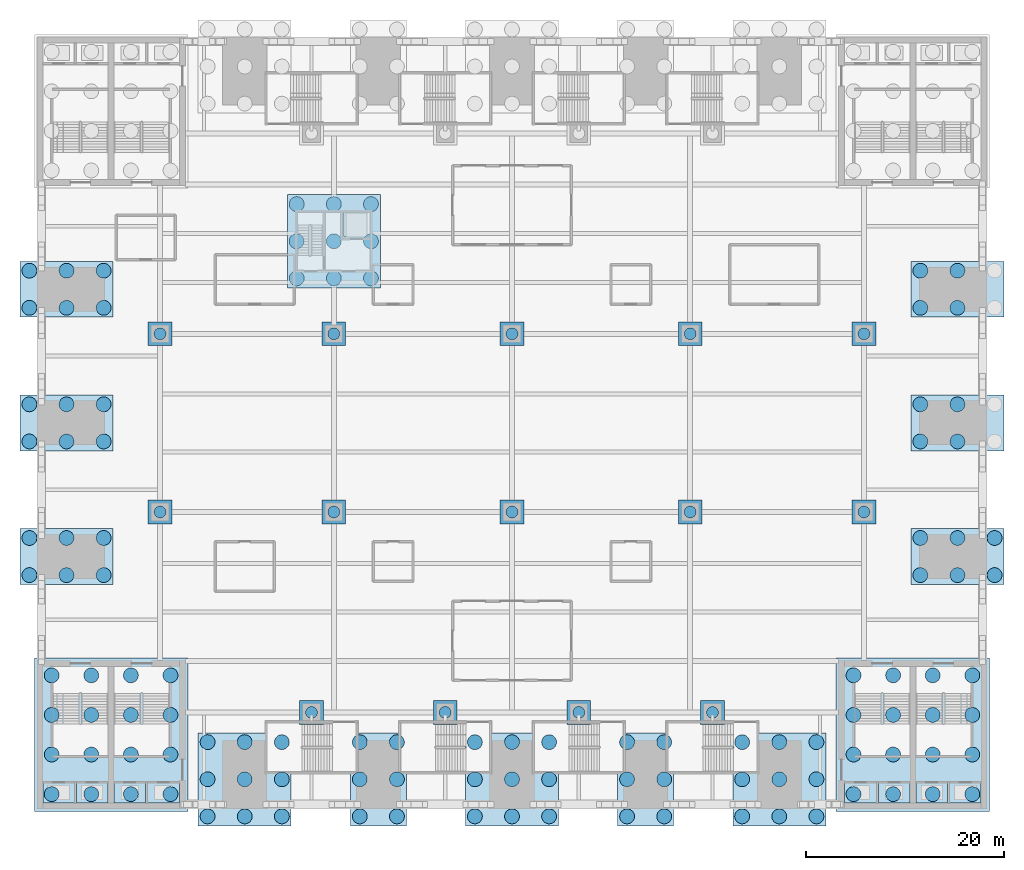
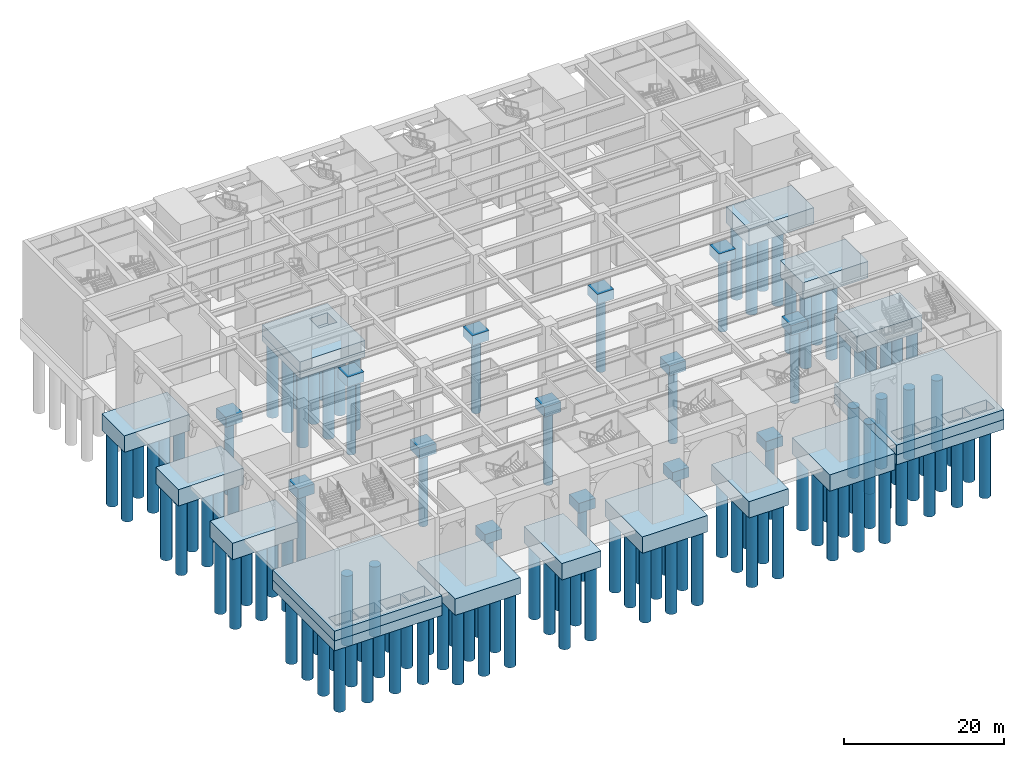
# One storey, part 1 of 34: 126 piles, 31 footings.
"""IFC4 building model written with IfcOpenShell, lengths in metres."""

from ifc_helpers import new_model, si_unit, direction, frame, origin, origin_2d, place, context, subcontext, project, spatial, polyline, circle, outline, extrude, material, layer, layer_set, material_profile, profile_set, type_object, element, save


model = new_model("IFC4")

# Units and contexts
model_context = context("Model", 3, precision=1e-05, world=origin(), true_north=direction((0.0, 1.0)))
body_context = subcontext(model_context, "Body", "Model", "MODEL_VIEW")
ifc_project = project(units=[si_unit("LENGTHUNIT", "METRE"), si_unit("AREAUNIT", "SQUARE_METRE"), si_unit("VOLUMEUNIT", "CUBIC_METRE"), si_unit("PLANEANGLEUNIT", "RADIAN"), si_unit("MASSUNIT", "GRAM", prefix="KILO")], contexts=[model_context])

# Site, building, storey
site_placement = place(None, origin())
site = spatial("IfcSite", under=ifc_project, at=site_placement, CompositionType="ELEMENT")
building_placement = place(site_placement, origin())
building = spatial("IfcBuilding", under=site, at=building_placement, Name="Corbelhall Arena Tower", CompositionType="ELEMENT")
storey_placement = place(building_placement, origin())
storey = spatial("IfcBuildingStorey", under=building, at=storey_placement, Name="L00", CompositionType="ELEMENT", Elevation=0.0)

# Piles
ifc_material = material(Name="Concrete C40/50", Category="concrete")
ifc_material_profile_1 = material_profile(ifc_material, circle(Radius=0.60009765625, at=origin_2d()))
ifc_profile_set_1 = profile_set([ifc_material_profile_1], Name="Concrete C40/50")
pile_type_1 = type_object("IfcPileType", Name="PO-BORED-PILE-1200", PredefinedType="BORED", material=ifc_profile_set_1)
for number, where, z_axis, x_axis, name in (
    (1, (-35.550048828125, -9.0, -1.35009765625), (0.0, 0.0, -1.0), (1.0, 0.0, 0.0), "CAP-S-35.55-9.00 PILE 1"),
    (2, (-35.550048828125, 9.0, -1.35009765625), (0.0, 0.0, -1.0), (1.0, 0.0, 0.0), "CAP-S-35.55+9.00 PILE 1"),
    (3, (-18.0, -9.0, -1.35009765625), (0.0, 0.0, -1.0), (1.0, 0.0, 0.0), "CAP-S-18.00-9.00 PILE 1"),
    (4, (-18.0, 9.0, -1.35009765625), (0.0, 0.0, -1.0), (1.0, 0.0, 0.0), "CAP-S-18.00+9.00 PILE 1"),
    (5, (0.0, -9.0, -1.35009765625), (0.0, 0.0, -1.0), (1.0, 0.0, 0.0), "CAP-S+0.00-9.00 PILE 1"),
    (6, (0.0, 9.0, -1.35009765625), (0.0, 0.0, -1.0), (1.0, 0.0, 0.0), "CAP-S+0.00+9.00 PILE 1"),
    (7, (18.0, -9.0, -1.35009765625), (0.0, 0.0, -1.0), (1.0, 0.0, 0.0), "CAP-S+18.00-9.00 PILE 1"),
    (8, (18.0, 9.0, -1.35009765625), (0.0, 0.0, -1.0), (1.0, 0.0, 0.0), "CAP-S+18.00+9.00 PILE 1"),
    (9, (35.550048828125, -9.0, -1.35009765625), (0.0, 0.0, -1.0), (1.0, 0.0, 0.0), "CAP-S+35.55-9.00 PILE 1"),
    (10, (35.550048828125, 9.0, -1.35009765625), (0.0, 0.0, -1.0), (1.0, 0.0, 0.0), "CAP-S+35.55+9.00 PILE 1"),
    (11, (-20.25, -29.25, -1.35009765625), (0.0, 0.0, -1.0), (1.0, 0.0, 0.0), "CAP-S-20.25-29.25 PILE 1"),
    (12, (-6.75, -29.25, -1.35009765625), (0.0, 0.0, -1.0), (1.0, 0.0, 0.0), "CAP-S-6.75-29.25 PILE 1"),
    (13, (6.75, -29.25, -1.35009765625), (0.0, 0.0, -1.0), (1.0, 0.0, 0.0), "CAP-S+6.75-29.25 PILE 1"),
    (14, (20.25, -29.25, -1.35009765625), (0.0, 0.0, -1.0), (1.0, 0.0, 0.0), "CAP-S+20.25-29.25 PILE 1"),
):
    element("IfcPile", number, at=place(storey_placement, frame(where, z_axis=z_axis, x_axis=x_axis)), inside=storey, type_object=pile_type_1, Name=name, PredefinedType="BORED", context=body_context, shape_type="SweptSolid", body=[
        extrude(circle(Radius=0.60009765625, at=origin_2d()), origin(), (0.0, 0.0, 1.0), 11.25),
    ])
ifc_material_profile_2 = material_profile(ifc_material, circle(Radius=0.75, at=origin_2d()))
ifc_profile_set_2 = profile_set([ifc_material_profile_2], Name="Concrete C40/50")
pile_type_2 = type_object("IfcPileType", Name="PO-BORED-PILE-1500", PredefinedType="BORED", material=ifc_profile_set_2)
for number, where, z_axis, x_axis, name in (
    (15, (34.5, -37.5, -2.85009765625), (0.0, 0.0, -1.0), (1.0, 0.0, 0.0), "RAFT-SE PILE 1"),
    (16, (34.5, -33.5, -2.85009765625), (0.0, 0.0, -1.0), (1.0, 0.0, 0.0), "RAFT-SE PILE 2"),
    (17, (34.5, -29.5, -2.85009765625), (0.0, 0.0, -1.0), (1.0, 0.0, 0.0), "RAFT-SE PILE 3"),
    (18, (34.5, -25.5, -2.85009765625), (0.0, 0.0, -1.0), (1.0, 0.0, 0.0), "RAFT-SE PILE 4"),
    (19, (38.5, -37.5, -2.85009765625), (0.0, 0.0, -1.0), (1.0, 0.0, 0.0), "RAFT-SE PILE 5"),
    (20, (38.5, -33.5, -2.85009765625), (0.0, 0.0, -1.0), (1.0, 0.0, 0.0), "RAFT-SE PILE 6"),
    (21, (38.5, -29.5, -2.85009765625), (0.0, 0.0, -1.0), (1.0, 0.0, 0.0), "RAFT-SE PILE 7"),
    (22, (38.5, -25.5, -2.85009765625), (0.0, 0.0, -1.0), (1.0, 0.0, 0.0), "RAFT-SE PILE 8"),
    (23, (42.5, -37.5, -2.85009765625), (0.0, 0.0, -1.0), (1.0, 0.0, 0.0), "RAFT-SE PILE 9"),
    (24, (42.5, -33.5, -2.85009765625), (0.0, 0.0, -1.0), (1.0, 0.0, 0.0), "RAFT-SE PILE 10"),
    (25, (42.5, -29.5, -2.85009765625), (0.0, 0.0, -1.0), (1.0, 0.0, 0.0), "RAFT-SE PILE 11"),
    (26, (42.5, -25.5, -2.85009765625), (0.0, 0.0, -1.0), (1.0, 0.0, 0.0), "RAFT-SE PILE 12"),
    (27, (46.5, -37.5, -2.85009765625), (0.0, 0.0, -1.0), (1.0, 0.0, 0.0), "RAFT-SE PILE 13"),
    (28, (46.5, -33.5, -2.85009765625), (0.0, 0.0, -1.0), (1.0, 0.0, 0.0), "RAFT-SE PILE 14"),
    (29, (46.5, -29.5, -2.85009765625), (0.0, 0.0, -1.0), (1.0, 0.0, 0.0), "RAFT-SE PILE 15"),
    (30, (46.5, -25.5, -2.85009765625), (0.0, 0.0, -1.0), (1.0, 0.0, 0.0), "RAFT-SE PILE 16"),
    (31, (-46.5, -37.5, -2.85009765625), (0.0, 0.0, -1.0), (1.0, 0.0, 0.0), "RAFT-SW PILE 1"),
    (32, (-46.5, -33.5, -2.85009765625), (0.0, 0.0, -1.0), (1.0, 0.0, 0.0), "RAFT-SW PILE 2"),
    (33, (-46.5, -29.5, -2.85009765625), (0.0, 0.0, -1.0), (1.0, 0.0, 0.0), "RAFT-SW PILE 3"),
    (34, (-46.5, -25.5, -2.85009765625), (0.0, 0.0, -1.0), (1.0, 0.0, 0.0), "RAFT-SW PILE 4"),
    (35, (-42.5, -37.5, -2.85009765625), (0.0, 0.0, -1.0), (1.0, 0.0, 0.0), "RAFT-SW PILE 5"),
    (36, (-42.5, -33.5, -2.85009765625), (0.0, 0.0, -1.0), (1.0, 0.0, 0.0), "RAFT-SW PILE 6"),
    (37, (-42.5, -29.5, -2.85009765625), (0.0, 0.0, -1.0), (1.0, 0.0, 0.0), "RAFT-SW PILE 7"),
    (38, (-42.5, -25.5, -2.85009765625), (0.0, 0.0, -1.0), (1.0, 0.0, 0.0), "RAFT-SW PILE 8"),
    (39, (-38.5, -37.5, -2.85009765625), (0.0, 0.0, -1.0), (1.0, 0.0, 0.0), "RAFT-SW PILE 9"),
    (40, (-38.5, -33.5, -2.85009765625), (0.0, 0.0, -1.0), (1.0, 0.0, 0.0), "RAFT-SW PILE 10"),
    (41, (-38.5, -29.5, -2.85009765625), (0.0, 0.0, -1.0), (1.0, 0.0, 0.0), "RAFT-SW PILE 11"),
    (42, (-38.5, -25.5, -2.85009765625), (0.0, 0.0, -1.0), (1.0, 0.0, 0.0), "RAFT-SW PILE 12"),
    (43, (-34.5, -37.5, -2.85009765625), (0.0, 0.0, -1.0), (1.0, 0.0, 0.0), "RAFT-SW PILE 13"),
    (44, (-34.5, -33.5, -2.85009765625), (0.0, 0.0, -1.0), (1.0, 0.0, 0.0), "RAFT-SW PILE 14"),
    (45, (-34.5, -29.5, -2.85009765625), (0.0, 0.0, -1.0), (1.0, 0.0, 0.0), "RAFT-SW PILE 15"),
    (46, (-34.5, -25.5, -2.85009765625), (0.0, 0.0, -1.0), (1.0, 0.0, 0.0), "RAFT-SW PILE 16"),
):
    element("IfcPile", number, at=place(storey_placement, frame(where, z_axis=z_axis, x_axis=x_axis)), inside=storey, type_object=pile_type_2, Name=name, PredefinedType="BORED", context=body_context, shape_type="SweptSolid", body=[
        extrude(circle(Radius=0.75, at=origin_2d()), origin(), (0.0, 0.0, 1.0), 10.64990234375),
    ])
for number, where, z_axis, x_axis, name in (
    (47, (-30.75, -39.75, -2.35009765625), (0.0, 0.0, -1.0), (1.0, 0.0, 0.0), "CAP-S-27.0 PILE 1"),
    (48, (-30.75, -36.0, -2.35009765625), (0.0, 0.0, -1.0), (1.0, 0.0, 0.0), "CAP-S-27.0 PILE 2"),
    (49, (-30.75, -32.25, -2.35009765625), (0.0, 0.0, -1.0), (1.0, 0.0, 0.0), "CAP-S-27.0 PILE 3"),
    (50, (-27.0, -39.75, -2.35009765625), (0.0, 0.0, -1.0), (1.0, 0.0, 0.0), "CAP-S-27.0 PILE 4"),
    (51, (-27.0, -36.0, -2.35009765625), (0.0, 0.0, -1.0), (1.0, 0.0, 0.0), "CAP-S-27.0 PILE 5"),
    (52, (-27.0, -32.25, -2.35009765625), (0.0, 0.0, -1.0), (1.0, 0.0, 0.0), "CAP-S-27.0 PILE 6"),
    (53, (-23.25, -39.75, -2.35009765625), (0.0, 0.0, -1.0), (1.0, 0.0, 0.0), "CAP-S-27.0 PILE 7"),
    (54, (-23.25, -36.0, -2.35009765625), (0.0, 0.0, -1.0), (1.0, 0.0, 0.0), "CAP-S-27.0 PILE 8"),
    (55, (-23.25, -32.25, -2.35009765625), (0.0, 0.0, -1.0), (1.0, 0.0, 0.0), "CAP-S-27.0 PILE 9"),
    (56, (-15.375, -39.75, -2.35009765625), (0.0, 0.0, -1.0), (1.0, 0.0, 0.0), "CAP-S-13.5 PILE 1"),
    (57, (-15.375, -36.0, -2.35009765625), (0.0, 0.0, -1.0), (1.0, 0.0, 0.0), "CAP-S-13.5 PILE 2"),
    (58, (-15.375, -32.25, -2.35009765625), (0.0, 0.0, -1.0), (1.0, 0.0, 0.0), "CAP-S-13.5 PILE 3"),
    (59, (-11.625, -39.75, -2.35009765625), (0.0, 0.0, -1.0), (1.0, 0.0, 0.0), "CAP-S-13.5 PILE 4"),
    (60, (-11.625, -36.0, -2.35009765625), (0.0, 0.0, -1.0), (1.0, 0.0, 0.0), "CAP-S-13.5 PILE 5"),
    (61, (-11.625, -32.25, -2.35009765625), (0.0, 0.0, -1.0), (1.0, 0.0, 0.0), "CAP-S-13.5 PILE 6"),
    (62, (-3.75, -39.75, -2.35009765625), (0.0, 0.0, -1.0), (1.0, 0.0, 0.0), "CAP-S+0.0 PILE 1"),
    (63, (-3.75, -36.0, -2.35009765625), (0.0, 0.0, -1.0), (1.0, 0.0, 0.0), "CAP-S+0.0 PILE 2"),
    (64, (-3.75, -32.25, -2.35009765625), (0.0, 0.0, -1.0), (1.0, 0.0, 0.0), "CAP-S+0.0 PILE 3"),
    (65, (0.0, -39.75, -2.35009765625), (0.0, 0.0, -1.0), (1.0, 0.0, 0.0), "CAP-S+0.0 PILE 4"),
    (66, (0.0, -36.0, -2.35009765625), (0.0, 0.0, -1.0), (1.0, 0.0, 0.0), "CAP-S+0.0 PILE 5"),
    (67, (0.0, -32.25, -2.35009765625), (0.0, 0.0, -1.0), (1.0, 0.0, 0.0), "CAP-S+0.0 PILE 6"),
    (68, (3.75, -39.75, -2.35009765625), (0.0, 0.0, -1.0), (1.0, 0.0, 0.0), "CAP-S+0.0 PILE 7"),
    (69, (3.75, -36.0, -2.35009765625), (0.0, 0.0, -1.0), (1.0, 0.0, 0.0), "CAP-S+0.0 PILE 8"),
    (70, (3.75, -32.25, -2.35009765625), (0.0, 0.0, -1.0), (1.0, 0.0, 0.0), "CAP-S+0.0 PILE 9"),
    (71, (11.625, -39.75, -2.35009765625), (0.0, 0.0, -1.0), (1.0, 0.0, 0.0), "CAP-S+13.5 PILE 1"),
    (72, (11.625, -36.0, -2.35009765625), (0.0, 0.0, -1.0), (1.0, 0.0, 0.0), "CAP-S+13.5 PILE 2"),
    (73, (11.625, -32.25, -2.35009765625), (0.0, 0.0, -1.0), (1.0, 0.0, 0.0), "CAP-S+13.5 PILE 3"),
    (74, (15.375, -39.75, -2.35009765625), (0.0, 0.0, -1.0), (1.0, 0.0, 0.0), "CAP-S+13.5 PILE 4"),
    (75, (15.375, -36.0, -2.35009765625), (0.0, 0.0, -1.0), (1.0, 0.0, 0.0), "CAP-S+13.5 PILE 5"),
    (76, (15.375, -32.25, -2.35009765625), (0.0, 0.0, -1.0), (1.0, 0.0, 0.0), "CAP-S+13.5 PILE 6"),
    (77, (23.25, -39.75, -2.35009765625), (0.0, 0.0, -1.0), (1.0, 0.0, 0.0), "CAP-S+27.0 PILE 1"),
    (78, (23.25, -36.0, -2.35009765625), (0.0, 0.0, -1.0), (1.0, 0.0, 0.0), "CAP-S+27.0 PILE 2"),
    (79, (23.25, -32.25, -2.35009765625), (0.0, 0.0, -1.0), (1.0, 0.0, 0.0), "CAP-S+27.0 PILE 3"),
    (80, (27.0, -39.75, -2.35009765625), (0.0, 0.0, -1.0), (1.0, 0.0, 0.0), "CAP-S+27.0 PILE 4"),
    (81, (27.0, -36.0, -2.35009765625), (0.0, 0.0, -1.0), (1.0, 0.0, 0.0), "CAP-S+27.0 PILE 5"),
    (82, (27.0, -32.25, -2.35009765625), (0.0, 0.0, -1.0), (1.0, 0.0, 0.0), "CAP-S+27.0 PILE 6"),
    (83, (30.75, -39.75, -2.35009765625), (0.0, 0.0, -1.0), (1.0, 0.0, 0.0), "CAP-S+27.0 PILE 7"),
    (84, (30.75, -36.0, -2.35009765625), (0.0, 0.0, -1.0), (1.0, 0.0, 0.0), "CAP-S+27.0 PILE 8"),
    (85, (30.75, -32.25, -2.35009765625), (0.0, 0.0, -1.0), (1.0, 0.0, 0.0), "CAP-S+27.0 PILE 9"),
    (86, (41.25, -15.375, -2.35009765625), (0.0, 0.0, -1.0), (1.0, 0.0, 0.0), "CAP-E-13.5 PILE 1"),
    (87, (41.25, -11.625, -2.35009765625), (0.0, 0.0, -1.0), (1.0, 0.0, 0.0), "CAP-E-13.5 PILE 2"),
    (88, (45.0, -15.375, -2.35009765625), (0.0, 0.0, -1.0), (1.0, 0.0, 0.0), "CAP-E-13.5 PILE 3"),
    (89, (45.0, -11.625, -2.35009765625), (0.0, 0.0, -1.0), (1.0, 0.0, 0.0), "CAP-E-13.5 PILE 4"),
    (90, (48.75, -15.375, -2.35009765625), (0.0, 0.0, -1.0), (1.0, 0.0, 0.0), "CAP-E-13.5 PILE 5"),
    (91, (48.75, -11.625, -2.35009765625), (0.0, 0.0, -1.0), (1.0, 0.0, 0.0), "CAP-E-13.5 PILE 6"),
    (92, (-48.75, -15.375, -2.35009765625), (0.0, 0.0, -1.0), (1.0, 0.0, 0.0), "CAP-W-13.5 PILE 1"),
    (93, (-48.75, -11.625, -2.35009765625), (0.0, 0.0, -1.0), (1.0, 0.0, 0.0), "CAP-W-13.5 PILE 2"),
    (94, (-45.0, -15.375, -2.35009765625), (0.0, 0.0, -1.0), (1.0, 0.0, 0.0), "CAP-W-13.5 PILE 3"),
    (95, (-45.0, -11.625, -2.35009765625), (0.0, 0.0, -1.0), (1.0, 0.0, 0.0), "CAP-W-13.5 PILE 4"),
    (96, (-41.25, -15.375, -2.35009765625), (0.0, 0.0, -1.0), (1.0, 0.0, 0.0), "CAP-W-13.5 PILE 5"),
    (97, (-41.25, -11.625, -2.35009765625), (0.0, 0.0, -1.0), (1.0, 0.0, 0.0), "CAP-W-13.5 PILE 6"),
    (98, (41.25, -1.875, -2.35009765625), (0.0, 0.0, -1.0), (1.0, 0.0, 0.0), "CAP-E+0.0 PILE 1"),
    (99, (41.25, 1.875, -2.35009765625), (0.0, 0.0, -1.0), (1.0, 0.0, 0.0), "CAP-E+0.0 PILE 2"),
    (100, (45.0, -1.875, -2.35009765625), (0.0, 0.0, -1.0), (1.0, 0.0, 0.0), "CAP-E+0.0 PILE 3"),
    (101, (45.0, 1.875, -2.35009765625), (0.0, 0.0, -1.0), (1.0, 0.0, 0.0), "CAP-E+0.0 PILE 4"),
    (102, (-48.75, -1.875, -2.35009765625), (0.0, 0.0, -1.0), (1.0, 0.0, 0.0), "CAP-W+0.0 PILE 1"),
    (103, (-48.75, 1.875, -2.35009765625), (0.0, 0.0, -1.0), (1.0, 0.0, 0.0), "CAP-W+0.0 PILE 2"),
    (104, (-45.0, -1.875, -2.35009765625), (0.0, 0.0, -1.0), (1.0, 0.0, 0.0), "CAP-W+0.0 PILE 3"),
    (105, (-45.0, 1.875, -2.35009765625), (0.0, 0.0, -1.0), (1.0, 0.0, 0.0), "CAP-W+0.0 PILE 4"),
    (106, (-41.25, -1.875, -2.35009765625), (0.0, 0.0, -1.0), (1.0, 0.0, 0.0), "CAP-W+0.0 PILE 5"),
    (107, (-41.25, 1.875, -2.35009765625), (0.0, 0.0, -1.0), (1.0, 0.0, 0.0), "CAP-W+0.0 PILE 6"),
    (108, (41.25, 11.625, -2.35009765625), (0.0, 0.0, -1.0), (1.0, 0.0, 0.0), "CAP-E+13.5 PILE 1"),
    (109, (41.25, 15.375, -2.35009765625), (0.0, 0.0, -1.0), (1.0, 0.0, 0.0), "CAP-E+13.5 PILE 2"),
    (110, (45.0, 11.625, -2.35009765625), (0.0, 0.0, -1.0), (1.0, 0.0, 0.0), "CAP-E+13.5 PILE 3"),
    (111, (45.0, 15.375, -2.35009765625), (0.0, 0.0, -1.0), (1.0, 0.0, 0.0), "CAP-E+13.5 PILE 4"),
    (112, (-48.75, 11.625, -2.35009765625), (0.0, 0.0, -1.0), (1.0, 0.0, 0.0), "CAP-W+13.5 PILE 1"),
    (113, (-48.75, 15.375, -2.35009765625), (0.0, 0.0, -1.0), (1.0, 0.0, 0.0), "CAP-W+13.5 PILE 2"),
    (114, (-45.0, 11.625, -2.35009765625), (0.0, 0.0, -1.0), (1.0, 0.0, 0.0), "CAP-W+13.5 PILE 3"),
    (115, (-45.0, 15.375, -2.35009765625), (0.0, 0.0, -1.0), (1.0, 0.0, 0.0), "CAP-W+13.5 PILE 4"),
    (116, (-41.25, 11.625, -2.35009765625), (0.0, 0.0, -1.0), (1.0, 0.0, 0.0), "CAP-W+13.5 PILE 5"),
    (117, (-41.25, 15.375, -2.35009765625), (0.0, 0.0, -1.0), (1.0, 0.0, 0.0), "CAP-W+13.5 PILE 6"),
    (118, (-21.75, 14.60009765625, -2.35009765625), (0.0, 0.0, -1.0), (1.0, 0.0, 0.0), "CAP-EAR PILE 1"),
    (119, (-21.75, 18.35009765625, -2.35009765625), (0.0, 0.0, -1.0), (1.0, 0.0, 0.0), "CAP-EAR PILE 2"),
    (120, (-21.75, 22.10009765625, -2.35009765625), (0.0, 0.0, -1.0), (1.0, 0.0, 0.0), "CAP-EAR PILE 3"),
    (121, (-18.0, 14.60009765625, -2.35009765625), (0.0, 0.0, -1.0), (1.0, 0.0, 0.0), "CAP-EAR PILE 4"),
    (122, (-18.0, 18.35009765625, -2.35009765625), (0.0, 0.0, -1.0), (1.0, 0.0, 0.0), "CAP-EAR PILE 5"),
    (123, (-18.0, 22.10009765625, -2.35009765625), (0.0, 0.0, -1.0), (1.0, 0.0, 0.0), "CAP-EAR PILE 6"),
    (124, (-14.25, 14.60009765625, -2.35009765625), (0.0, 0.0, -1.0), (1.0, 0.0, 0.0), "CAP-EAR PILE 7"),
    (125, (-14.25, 18.35009765625, -2.35009765625), (0.0, 0.0, -1.0), (1.0, 0.0, 0.0), "CAP-EAR PILE 8"),
    (126, (-14.25, 22.10009765625, -2.35009765625), (0.0, 0.0, -1.0), (1.0, 0.0, 0.0), "CAP-EAR PILE 9"),
):
    element("IfcPile", number, at=place(storey_placement, frame(where, z_axis=z_axis, x_axis=x_axis)), inside=storey, type_object=pile_type_2, Name=name, PredefinedType="BORED", context=body_context, shape_type="SweptSolid", body=[
        extrude(circle(Radius=0.75, at=origin_2d()), origin(), (0.0, 0.0, 1.0), 11.14990234375),
    ])

# Footings
ifc_layer_1 = layer(ifc_material, 2.5)
ifc_layer_set_1 = layer_set([ifc_layer_1], Name="PO-EDGE-CAP-6")
footing_type_1 = type_object("IfcFootingType", Name="PO-EDGE-CAP-6", PredefinedType="PILE_CAP", material=ifc_layer_set_1)
footing_1_placement = place(storey_placement, frame((0.0, 0.0, -2.5)))
element("IfcFooting", 127, at=footing_1_placement, inside=storey, type_object=footing_type_1, Name="CAP-E-13.5", PredefinedType="PILE_CAP", context=body_context, shape_type="SweptSolid", body=[
    extrude(outline(polyline([(40.300048828125, -16.324951171875), (49.699951171875, -16.324951171875), (49.699951171875, -10.675048828125), (40.300048828125, -10.675048828125), (40.300048828125, -16.324951171875)])), origin(), (0.0, 0.0, 1.0), 2.5),
])
footing_2_placement = place(storey_placement, frame((0.0, 0.0, -2.5)))
element("IfcFooting", 128, at=footing_2_placement, inside=storey, type_object=footing_type_1, Name="CAP-W-13.5", PredefinedType="PILE_CAP", context=body_context, shape_type="SweptSolid", body=[
    extrude(outline(polyline([(-49.699951171875, -16.324951171875), (-40.300048828125, -16.324951171875), (-40.300048828125, -10.675048828125), (-49.699951171875, -10.675048828125), (-49.699951171875, -16.324951171875)])), origin(), (0.0, 0.0, 1.0), 2.5),
])
footing_3_placement = place(storey_placement, frame((0.0, 0.0, -2.5)))
element("IfcFooting", 129, at=footing_3_placement, inside=storey, type_object=footing_type_1, Name="CAP-E+0.0", PredefinedType="PILE_CAP", context=body_context, shape_type="SweptSolid", body=[
    extrude(outline(polyline([(40.300048828125, -2.824951171875), (49.699951171875, -2.824951171875), (49.699951171875, 2.824951171875), (40.300048828125, 2.824951171875), (40.300048828125, -2.824951171875)])), origin(), (0.0, 0.0, 1.0), 2.5),
])
footing_4_placement = place(storey_placement, frame((0.0, 0.0, -2.5)))
element("IfcFooting", 130, at=footing_4_placement, inside=storey, type_object=footing_type_1, Name="CAP-W+0.0", PredefinedType="PILE_CAP", context=body_context, shape_type="SweptSolid", body=[
    extrude(outline(polyline([(-49.699951171875, -2.824951171875), (-40.300048828125, -2.824951171875), (-40.300048828125, 2.824951171875), (-49.699951171875, 2.824951171875), (-49.699951171875, -2.824951171875)])), origin(), (0.0, 0.0, 1.0), 2.5),
])
footing_5_placement = place(storey_placement, frame((0.0, 0.0, -2.5)))
element("IfcFooting", 131, at=footing_5_placement, inside=storey, type_object=footing_type_1, Name="CAP-E+13.5", PredefinedType="PILE_CAP", context=body_context, shape_type="SweptSolid", body=[
    extrude(outline(polyline([(40.300048828125, 10.675048828125), (49.699951171875, 10.675048828125), (49.699951171875, 16.324951171875), (40.300048828125, 16.324951171875), (40.300048828125, 10.675048828125)])), origin(), (0.0, 0.0, 1.0), 2.5),
])
footing_6_placement = place(storey_placement, frame((0.0, 0.0, -2.5)))
element("IfcFooting", 132, at=footing_6_placement, inside=storey, type_object=footing_type_1, Name="CAP-W+13.5", PredefinedType="PILE_CAP", context=body_context, shape_type="SweptSolid", body=[
    extrude(outline(polyline([(-49.699951171875, 10.675048828125), (-40.300048828125, 10.675048828125), (-40.300048828125, 16.324951171875), (-49.699951171875, 16.324951171875), (-49.699951171875, 10.675048828125)])), origin(), (0.0, 0.0, 1.0), 2.5),
])
ifc_layer_2 = layer(ifc_material, 2.5)
ifc_layer_set_2 = layer_set([ifc_layer_2], Name="PO-PIER-CAP-6")
footing_type_2 = type_object("IfcFootingType", Name="PO-PIER-CAP-6", PredefinedType="PILE_CAP", material=ifc_layer_set_2)
footing_7_placement = place(storey_placement, frame((0.0, 0.0, -2.5)))
element("IfcFooting", 133, at=footing_7_placement, inside=storey, type_object=footing_type_2, Name="CAP-S-13.5", PredefinedType="PILE_CAP", context=body_context, shape_type="SweptSolid", body=[
    extrude(outline(polyline([(-16.324951171875, -40.699951171875), (-10.675048828125, -40.699951171875), (-10.675048828125, -31.300048828125), (-16.324951171875, -31.300048828125), (-16.324951171875, -40.699951171875)])), origin(), (0.0, 0.0, 1.0), 2.5),
])
footing_8_placement = place(storey_placement, frame((0.0, 0.0, -2.5)))
element("IfcFooting", 134, at=footing_8_placement, inside=storey, type_object=footing_type_2, Name="CAP-S+13.5", PredefinedType="PILE_CAP", context=body_context, shape_type="SweptSolid", body=[
    extrude(outline(polyline([(10.675048828125, -40.699951171875), (16.324951171875, -40.699951171875), (16.324951171875, -31.300048828125), (10.675048828125, -31.300048828125), (10.675048828125, -40.699951171875)])), origin(), (0.0, 0.0, 1.0), 2.5),
])
ifc_layer_3 = layer(ifc_material, 2.5)
ifc_layer_set_3 = layer_set([ifc_layer_3], Name="PO-PIER-CAP-9")
footing_type_3 = type_object("IfcFootingType", Name="PO-PIER-CAP-9", PredefinedType="PILE_CAP", material=ifc_layer_set_3)
footing_9_placement = place(storey_placement, frame((0.0, 0.0, -2.5)))
element("IfcFooting", 135, at=footing_9_placement, inside=storey, type_object=footing_type_3, Name="CAP-S-27.0", PredefinedType="PILE_CAP", context=body_context, shape_type="SweptSolid", body=[
    extrude(outline(polyline([(-31.699951171875, -40.699951171875), (-22.300048828125, -40.699951171875), (-22.300048828125, -31.300048828125), (-31.699951171875, -31.300048828125), (-31.699951171875, -40.699951171875)])), origin(), (0.0, 0.0, 1.0), 2.5),
])
footing_10_placement = place(storey_placement, frame((0.0, 0.0, -2.5)))
element("IfcFooting", 136, at=footing_10_placement, inside=storey, type_object=footing_type_3, Name="CAP-S+0.0", PredefinedType="PILE_CAP", context=body_context, shape_type="SweptSolid", body=[
    extrude(outline(polyline([(-4.699951171875, -40.699951171875), (4.699951171875, -40.699951171875), (4.699951171875, -31.300048828125), (-4.699951171875, -31.300048828125), (-4.699951171875, -40.699951171875)])), origin(), (0.0, 0.0, 1.0), 2.5),
])
footing_11_placement = place(storey_placement, frame((0.0, 0.0, -2.5)))
element("IfcFooting", 137, at=footing_11_placement, inside=storey, type_object=footing_type_3, Name="CAP-S+27.0", PredefinedType="PILE_CAP", context=body_context, shape_type="SweptSolid", body=[
    extrude(outline(polyline([(22.300048828125, -40.699951171875), (31.699951171875, -40.699951171875), (31.699951171875, -31.300048828125), (22.300048828125, -31.300048828125), (22.300048828125, -40.699951171875)])), origin(), (0.0, 0.0, 1.0), 2.5),
])
ifc_layer_4 = layer(ifc_material, 3.0)
ifc_layer_set_4 = layer_set([ifc_layer_4], Name="PO-RAFT")
footing_type_4 = type_object("IfcFootingType", Name="PO-RAFT", PredefinedType="PAD_FOOTING", material=ifc_layer_set_4)
footing_12_placement = place(storey_placement, frame((0.0, 0.0, -3.0)))
element("IfcFooting", 138, at=footing_12_placement, inside=storey, type_object=footing_type_4, Name="RAFT-SE LOWER", PredefinedType="PAD_FOOTING", context=body_context, shape_type="SweptSolid", body=[
    extrude(outline(polyline([(32.75, -39.25), (48.25, -39.25), (48.25, -23.75), (32.75, -23.75), (32.75, -39.25)])), origin(), (0.0, 0.0, 1.0), 1.5),
])
footing_13_placement = place(storey_placement, frame((0.0, 0.0, -1.5)))
element("IfcFooting", 139, at=footing_13_placement, inside=storey, type_object=footing_type_4, Name="RAFT-SE UPPER", PredefinedType="PAD_FOOTING", context=body_context, shape_type="SweptSolid", body=[
    extrude(outline(polyline([(32.75, -39.25), (48.25, -39.25), (48.25, -23.75), (32.75, -23.75), (32.75, -39.25)]), holes=[polyline([(33.60009765625, -38.39990234375), (36.800048828125, -38.39990234375), (36.800048828125, -36.300048828125), (33.60009765625, -36.300048828125), (33.60009765625, -38.39990234375)]), polyline([(37.0, -38.39990234375), (40.199951171875, -38.39990234375), (40.199951171875, -36.300048828125), (37.0, -36.300048828125), (37.0, -38.39990234375)]), polyline([(40.800048828125, -38.39990234375), (44.0, -38.39990234375), (44.0, -36.300048828125), (40.800048828125, -36.300048828125), (40.800048828125, -38.39990234375)]), polyline([(44.199951171875, -38.39990234375), (47.39990234375, -38.39990234375), (47.39990234375, -36.300048828125), (44.199951171875, -36.300048828125), (44.199951171875, -38.39990234375)])]), origin(), (0.0, 0.0, 1.0), 1.5),
])
footing_14_placement = place(storey_placement, frame((0.0, 0.0, -3.0)))
element("IfcFooting", 140, at=footing_14_placement, inside=storey, type_object=footing_type_4, Name="RAFT-SW LOWER", PredefinedType="PAD_FOOTING", context=body_context, shape_type="SweptSolid", body=[
    extrude(outline(polyline([(-48.25, -39.25), (-32.75, -39.25), (-32.75, -23.75), (-48.25, -23.75), (-48.25, -39.25)])), origin(), (0.0, 0.0, 1.0), 1.5),
])
footing_15_placement = place(storey_placement, frame((0.0, 0.0, -1.5)))
element("IfcFooting", 141, at=footing_15_placement, inside=storey, type_object=footing_type_4, Name="RAFT-SW UPPER", PredefinedType="PAD_FOOTING", context=body_context, shape_type="SweptSolid", body=[
    extrude(outline(polyline([(-48.25, -39.25), (-32.75, -39.25), (-32.75, -23.75), (-48.25, -23.75), (-48.25, -39.25)]), holes=[polyline([(-40.199951171875, -38.39990234375), (-37.0, -38.39990234375), (-37.0, -36.300048828125), (-40.199951171875, -36.300048828125), (-40.199951171875, -38.39990234375)]), polyline([(-36.800048828125, -38.39990234375), (-33.60009765625, -38.39990234375), (-33.60009765625, -36.300048828125), (-36.800048828125, -36.300048828125), (-36.800048828125, -38.39990234375)]), polyline([(-47.39990234375, -38.39990234375), (-44.199951171875, -38.39990234375), (-44.199951171875, -36.300048828125), (-47.39990234375, -36.300048828125), (-47.39990234375, -38.39990234375)]), polyline([(-44.0, -38.39990234375), (-40.800048828125, -38.39990234375), (-40.800048828125, -36.300048828125), (-44.0, -36.300048828125), (-44.0, -38.39990234375)])]), origin(), (0.0, 0.0, 1.0), 1.5),
])
ifc_layer_5 = layer(ifc_material, 1.5)
ifc_layer_set_5 = layer_set([ifc_layer_5], Name="PO-STILT-CAP")
footing_type_5 = type_object("IfcFootingType", Name="PO-STILT-CAP", PredefinedType="PILE_CAP", material=ifc_layer_set_5)
footing_16_placement = place(storey_placement, frame((0.0, 0.0, -1.5)))
element("IfcFooting", 142, at=footing_16_placement, inside=storey, type_object=footing_type_5, Name="CAP-S-35.55-9.00", PredefinedType="PILE_CAP", context=body_context, shape_type="SweptSolid", body=[
    extrude(outline(polyline([(-36.75, -10.199951171875), (-34.35009765625, -10.199951171875), (-34.35009765625, -7.800048828125), (-36.75, -7.800048828125), (-36.75, -10.199951171875)])), origin(), (0.0, 0.0, 1.0), 1.5),
])
footing_17_placement = place(storey_placement, frame((0.0, 0.0, -1.5)))
element("IfcFooting", 143, at=footing_17_placement, inside=storey, type_object=footing_type_5, Name="CAP-S-35.55+9.00", PredefinedType="PILE_CAP", context=body_context, shape_type="SweptSolid", body=[
    extrude(outline(polyline([(-36.75, 7.800048828125), (-34.35009765625, 7.800048828125), (-34.35009765625, 10.199951171875), (-36.75, 10.199951171875), (-36.75, 7.800048828125)])), origin(), (0.0, 0.0, 1.0), 1.5),
])
footing_18_placement = place(storey_placement, frame((0.0, 0.0, -1.5)))
element("IfcFooting", 144, at=footing_18_placement, inside=storey, type_object=footing_type_5, Name="CAP-S-18.00-9.00", PredefinedType="PILE_CAP", context=body_context, shape_type="SweptSolid", body=[
    extrude(outline(polyline([(-19.199951171875, -10.199951171875), (-16.800048828125, -10.199951171875), (-16.800048828125, -7.800048828125), (-19.199951171875, -7.800048828125), (-19.199951171875, -10.199951171875)])), origin(), (0.0, 0.0, 1.0), 1.5),
])
footing_19_placement = place(storey_placement, frame((0.0, 0.0, -1.5)))
element("IfcFooting", 145, at=footing_19_placement, inside=storey, type_object=footing_type_5, Name="CAP-S-18.00+9.00", PredefinedType="PILE_CAP", context=body_context, shape_type="SweptSolid", body=[
    extrude(outline(polyline([(-19.199951171875, 7.800048828125), (-16.800048828125, 7.800048828125), (-16.800048828125, 10.199951171875), (-19.199951171875, 10.199951171875), (-19.199951171875, 7.800048828125)])), origin(), (0.0, 0.0, 1.0), 1.5),
])
footing_20_placement = place(storey_placement, frame((0.0, 0.0, -1.5)))
element("IfcFooting", 146, at=footing_20_placement, inside=storey, type_object=footing_type_5, Name="CAP-S+0.00-9.00", PredefinedType="PILE_CAP", context=body_context, shape_type="SweptSolid", body=[
    extrude(outline(polyline([(-1.199951171875, -10.199951171875), (1.199951171875, -10.199951171875), (1.199951171875, -7.800048828125), (-1.199951171875, -7.800048828125), (-1.199951171875, -10.199951171875)])), origin(), (0.0, 0.0, 1.0), 1.5),
])
footing_21_placement = place(storey_placement, frame((0.0, 0.0, -1.5)))
element("IfcFooting", 147, at=footing_21_placement, inside=storey, type_object=footing_type_5, Name="CAP-S+0.00+9.00", PredefinedType="PILE_CAP", context=body_context, shape_type="SweptSolid", body=[
    extrude(outline(polyline([(-1.199951171875, 7.800048828125), (1.199951171875, 7.800048828125), (1.199951171875, 10.199951171875), (-1.199951171875, 10.199951171875), (-1.199951171875, 7.800048828125)])), origin(), (0.0, 0.0, 1.0), 1.5),
])
footing_22_placement = place(storey_placement, frame((0.0, 0.0, -1.5)))
element("IfcFooting", 148, at=footing_22_placement, inside=storey, type_object=footing_type_5, Name="CAP-S+18.00-9.00", PredefinedType="PILE_CAP", context=body_context, shape_type="SweptSolid", body=[
    extrude(outline(polyline([(16.800048828125, -10.199951171875), (19.199951171875, -10.199951171875), (19.199951171875, -7.800048828125), (16.800048828125, -7.800048828125), (16.800048828125, -10.199951171875)])), origin(), (0.0, 0.0, 1.0), 1.5),
])
footing_23_placement = place(storey_placement, frame((0.0, 0.0, -1.5)))
element("IfcFooting", 149, at=footing_23_placement, inside=storey, type_object=footing_type_5, Name="CAP-S+18.00+9.00", PredefinedType="PILE_CAP", context=body_context, shape_type="SweptSolid", body=[
    extrude(outline(polyline([(16.800048828125, 7.800048828125), (19.199951171875, 7.800048828125), (19.199951171875, 10.199951171875), (16.800048828125, 10.199951171875), (16.800048828125, 7.800048828125)])), origin(), (0.0, 0.0, 1.0), 1.5),
])
footing_24_placement = place(storey_placement, frame((0.0, 0.0, -1.5)))
element("IfcFooting", 150, at=footing_24_placement, inside=storey, type_object=footing_type_5, Name="CAP-S+35.55-9.00", PredefinedType="PILE_CAP", context=body_context, shape_type="SweptSolid", body=[
    extrude(outline(polyline([(34.35009765625, -10.199951171875), (36.75, -10.199951171875), (36.75, -7.800048828125), (34.35009765625, -7.800048828125), (34.35009765625, -10.199951171875)])), origin(), (0.0, 0.0, 1.0), 1.5),
])
footing_25_placement = place(storey_placement, frame((0.0, 0.0, -1.5)))
element("IfcFooting", 151, at=footing_25_placement, inside=storey, type_object=footing_type_5, Name="CAP-S+35.55+9.00", PredefinedType="PILE_CAP", context=body_context, shape_type="SweptSolid", body=[
    extrude(outline(polyline([(34.35009765625, 7.800048828125), (36.75, 7.800048828125), (36.75, 10.199951171875), (34.35009765625, 10.199951171875), (34.35009765625, 7.800048828125)])), origin(), (0.0, 0.0, 1.0), 1.5),
])
footing_26_placement = place(storey_placement, frame((0.0, 0.0, -1.5)))
element("IfcFooting", 152, at=footing_26_placement, inside=storey, type_object=footing_type_5, Name="CAP-S-20.25-29.25", PredefinedType="PILE_CAP", context=body_context, shape_type="SweptSolid", body=[
    extrude(outline(polyline([(-21.449951171875, -30.449951171875), (-19.050048828125, -30.449951171875), (-19.050048828125, -28.050048828125), (-21.449951171875, -28.050048828125), (-21.449951171875, -30.449951171875)])), origin(), (0.0, 0.0, 1.0), 1.5),
])
footing_27_placement = place(storey_placement, frame((0.0, 0.0, -1.5)))
element("IfcFooting", 153, at=footing_27_placement, inside=storey, type_object=footing_type_5, Name="CAP-S-6.75-29.25", PredefinedType="PILE_CAP", context=body_context, shape_type="SweptSolid", body=[
    extrude(outline(polyline([(-7.949951171875, -30.449951171875), (-5.550048828125, -30.449951171875), (-5.550048828125, -28.050048828125), (-7.949951171875, -28.050048828125), (-7.949951171875, -30.449951171875)])), origin(), (0.0, 0.0, 1.0), 1.5),
])
footing_28_placement = place(storey_placement, frame((0.0, 0.0, -1.5)))
element("IfcFooting", 154, at=footing_28_placement, inside=storey, type_object=footing_type_5, Name="CAP-S+6.75-29.25", PredefinedType="PILE_CAP", context=body_context, shape_type="SweptSolid", body=[
    extrude(outline(polyline([(5.550048828125, -30.449951171875), (7.949951171875, -30.449951171875), (7.949951171875, -28.050048828125), (5.550048828125, -28.050048828125), (5.550048828125, -30.449951171875)])), origin(), (0.0, 0.0, 1.0), 1.5),
])
footing_29_placement = place(storey_placement, frame((0.0, 0.0, -1.5)))
element("IfcFooting", 155, at=footing_29_placement, inside=storey, type_object=footing_type_5, Name="CAP-S+20.25-29.25", PredefinedType="PILE_CAP", context=body_context, shape_type="SweptSolid", body=[
    extrude(outline(polyline([(19.050048828125, -30.449951171875), (21.449951171875, -30.449951171875), (21.449951171875, -28.050048828125), (19.050048828125, -28.050048828125), (19.050048828125, -30.449951171875)])), origin(), (0.0, 0.0, 1.0), 1.5),
])
ifc_layer_6 = layer(ifc_material, 2.5)
ifc_layer_set_6 = layer_set([ifc_layer_6], Name="PO-TURRET-CAP")
footing_type_6 = type_object("IfcFootingType", Name="PO-TURRET-CAP", PredefinedType="PILE_CAP", material=ifc_layer_set_6)
footing_30_placement = place(storey_placement, frame((0.0, 0.0, -2.5)))
element("IfcFooting", 156, at=footing_30_placement, inside=storey, type_object=footing_type_6, Name="CAP-EAR LOWER", PredefinedType="PILE_CAP", context=body_context, shape_type="SweptSolid", body=[
    extrude(outline(polyline([(-22.699951171875, 13.64990234375), (-13.300048828125, 13.64990234375), (-13.300048828125, 23.050048828125), (-22.699951171875, 23.050048828125), (-22.699951171875, 13.64990234375)])), origin(), (0.0, 0.0, 1.0), 0.89990234375),
])
footing_31_placement = place(storey_placement, frame((0.0, 0.0, -1.60009765625)))
element("IfcFooting", 157, at=footing_31_placement, inside=storey, type_object=footing_type_6, Name="CAP-EAR UPPER", PredefinedType="PILE_CAP", context=body_context, shape_type="SweptSolid", body=[
    extrude(outline(polyline([(-22.699951171875, 13.64990234375), (-13.300048828125, 13.64990234375), (-13.300048828125, 23.050048828125), (-22.699951171875, 23.050048828125), (-22.699951171875, 13.64990234375)]), holes=[polyline([(-16.949951171875, 18.85009765625), (-14.35009765625, 18.85009765625), (-14.35009765625, 21.25), (-16.949951171875, 21.25), (-16.949951171875, 18.85009765625)])]), origin(), (0.0, 0.0, 1.0), 1.60009765625),
])

save(model, "model.ifc")
